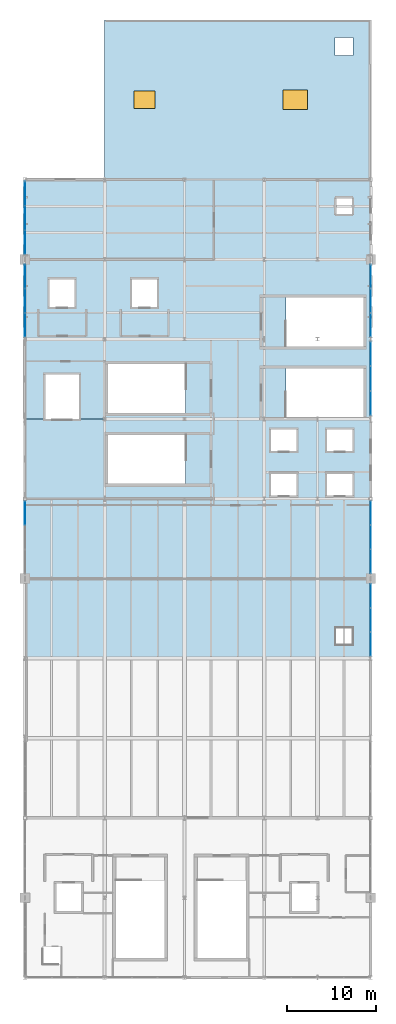
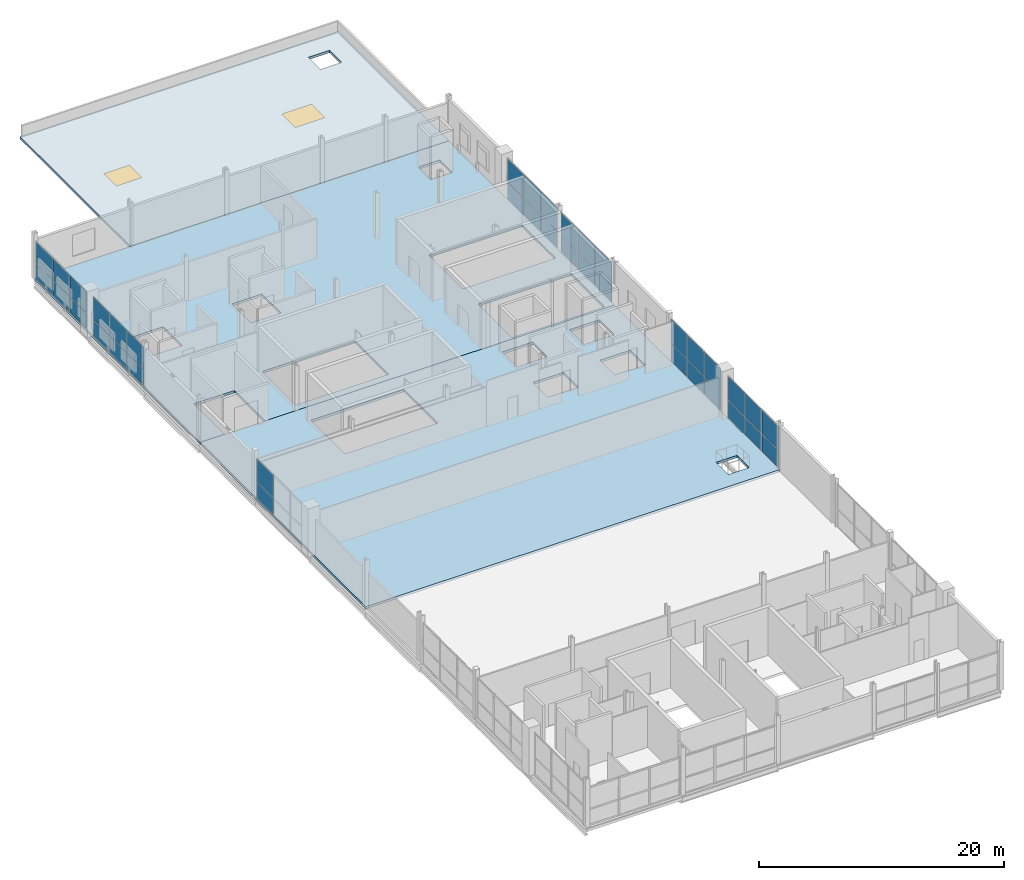
# One storey, part 21 of 29: 38 plates, 3 slabs, 2 windows, 2 openings, 7 elements without a shape of their own.
"""IFC4 building model written with IfcOpenShell, lengths in metres."""

from ifc_helpers import new_model, si_unit, direction, frame, origin, origin_2d, place, context, subcontext, project, spatial, polyline, rectangle, outline, extrude, material, layer, layer_set, type_object, element, fill, aggregate, save


model = new_model("IFC4")

# Units and contexts
model_context = context("Model", 3, precision=1e-05, world=origin(), true_north=direction((0.0, 1.0)))
body_context = subcontext(model_context, "Body", "Model", "MODEL_VIEW")
ifc_project = project(units=[si_unit("LENGTHUNIT", "METRE"), si_unit("AREAUNIT", "SQUARE_METRE"), si_unit("VOLUMEUNIT", "CUBIC_METRE"), si_unit("PLANEANGLEUNIT", "RADIAN"), si_unit("MASSUNIT", "GRAM", prefix="KILO")], contexts=[model_context])

# Site, building, storey
site_placement = place(None, origin())
site = spatial("IfcSite", under=ifc_project, at=site_placement, CompositionType="ELEMENT")
building_placement = place(site_placement, origin())
building = spatial("IfcBuilding", under=site, at=building_placement, Name="Qamarlyn Nura Convention Centre", CompositionType="ELEMENT")
storey_placement = place(building_placement, frame((0.0, 0.0, 25.199951171875)))
storey = spatial("IfcBuildingStorey", under=building, at=storey_placement, Name="L05", CompositionType="ELEMENT", Elevation=25.199951171875)

# Curtain wall, plates
ifc_material_1 = material(Name="Double-silver low-E insulated glass", Category="glass")
ifc_layer_1 = layer(ifc_material_1, 0.179931640625, Name="CW-UNIT-152")
ifc_layer_set_1 = layer_set([ifc_layer_1], Name="Double-silver low-E insulated glass")
curtain_wall_type_1 = type_object("IfcCurtainWallType", Name="CW-UNIT-152", PredefinedType="NOTDEFINED", material=ifc_layer_set_1)
curtain_wall_1_placement = place(storey_placement, origin())
curtain_wall_1 = element("IfcCurtainWall", 1, at=curtain_wall_1_placement, inside=storey, type_object=curtain_wall_type_1, Name="L05 unitised curtain wall EAST-5-1", PredefinedType="NOTDEFINED")
ifc_layer_2 = layer(ifc_material_1, 0.028076171875, Name="CWP-VIS-28")
ifc_layer_set_2 = layer_set([ifc_layer_2], Name="Double-silver low-E insulated glass")
plate_type_1 = type_object("IfcPlateType", Name="CWP-VIS-28", PredefinedType="CURTAIN_PANEL", material=ifc_layer_set_2)
plate_1_placement = place(storey_placement, frame((192.0, 43.060791015625, 0.06494140625), z_axis=(0.0, 0.0, 1.0), x_axis=(0.0, -1.0, 0.0)))
plate_1 = element("IfcPlate", 2, at=plate_1_placement, type_object=plate_type_1, Name="CW152 panel 1.1", PredefinedType="CURTAIN_PANEL", context=body_context, shape_type="SweptSolid", body=[
    extrude(rectangle(XDim=2.6484375, YDim=0.028076171875, at=origin_2d()), origin(), (0.0, 0.0, 1.0), 1.685546875),
])
plate_2_placement = place(storey_placement, frame((192.0, 43.060791015625, 1.8154296875), z_axis=(0.0, 0.0, 1.0), x_axis=(0.0, -1.0, 0.0)))
plate_2 = element("IfcPlate", 3, at=plate_2_placement, type_object=plate_type_1, Name="CW152 panel 1.2", PredefinedType="CURTAIN_PANEL", context=body_context, shape_type="SweptSolid", body=[
    extrude(rectangle(XDim=2.6484375, YDim=0.028076171875, at=origin_2d()), origin(), (0.0, 0.0, 1.0), 2.365478515625),
])
plate_3_placement = place(storey_placement, frame((192.0, 40.331298828125, 0.06494140625), z_axis=(0.0, 0.0, 1.0), x_axis=(0.0, -1.0, 0.0)))
plate_3 = element("IfcPlate", 4, at=plate_3_placement, type_object=plate_type_1, Name="CW152 panel 2.1", PredefinedType="CURTAIN_PANEL", context=body_context, shape_type="SweptSolid", body=[
    extrude(rectangle(XDim=2.680908203125, YDim=0.028076171875, at=origin_2d()), origin(), (0.0, 0.0, 1.0), 1.685546875),
])
plate_4_placement = place(storey_placement, frame((192.0, 40.331298828125, 1.8154296875), z_axis=(0.0, 0.0, 1.0), x_axis=(0.0, -1.0, 0.0)))
plate_4 = element("IfcPlate", 5, at=plate_4_placement, type_object=plate_type_1, Name="CW152 panel 2.2", PredefinedType="CURTAIN_PANEL", context=body_context, shape_type="SweptSolid", body=[
    extrude(rectangle(XDim=2.680908203125, YDim=0.028076171875, at=origin_2d()), origin(), (0.0, 0.0, 1.0), 2.365478515625),
])
plate_5_placement = place(storey_placement, frame((192.0, 37.6015625, 0.06494140625), z_axis=(0.0, 0.0, 1.0), x_axis=(0.0, -1.0, 0.0)))
plate_5 = element("IfcPlate", 6, at=plate_5_placement, type_object=plate_type_1, Name="CW152 panel 3.1", PredefinedType="CURTAIN_PANEL", context=body_context, shape_type="SweptSolid", body=[
    extrude(rectangle(XDim=2.6484375, YDim=0.028076171875, at=origin_2d()), origin(), (0.0, 0.0, 1.0), 1.685546875),
])
plate_6_placement = place(storey_placement, frame((192.0, 37.6015625, 1.8154296875), z_axis=(0.0, 0.0, 1.0), x_axis=(0.0, -1.0, 0.0)))
plate_6 = element("IfcPlate", 7, at=plate_6_placement, type_object=plate_type_1, Name="CW152 panel 3.2", PredefinedType="CURTAIN_PANEL", context=body_context, shape_type="SweptSolid", body=[
    extrude(rectangle(XDim=2.6484375, YDim=0.028076171875, at=origin_2d()), origin(), (0.0, 0.0, 1.0), 2.365478515625),
])
aggregate(curtain_wall_1, [plate_1, plate_2, plate_3, plate_4, plate_5, plate_6])

ifc_layer_3 = layer(ifc_material_1, 0.179931640625, Name="CW-UNIT-154")
ifc_layer_set_3 = layer_set([ifc_layer_3], Name="Double-silver low-E insulated glass")
curtain_wall_type_2 = type_object("IfcCurtainWallType", Name="CW-UNIT-154", PredefinedType="NOTDEFINED", material=ifc_layer_set_3)
curtain_wall_2_placement = place(storey_placement, origin())
curtain_wall_2 = element("IfcCurtainWall", 8, at=curtain_wall_2_placement, inside=storey, type_object=curtain_wall_type_2, Name="L05 unitised curtain wall EAST-6-1", PredefinedType="NOTDEFINED")
plate_7_placement = place(storey_placement, frame((192.0, 52.409912109375, 0.06005859375), z_axis=(0.0, 0.0, 1.0), x_axis=(0.0, -1.0, 0.0)))
plate_7 = element("IfcPlate", 9, at=plate_7_placement, type_object=plate_type_1, Name="CW154 panel 1.1", PredefinedType="CURTAIN_PANEL", context=body_context, shape_type="SweptSolid", body=[
    extrude(rectangle(XDim=2.659912109375, YDim=0.028076171875, at=origin_2d()), origin(), (0.0, 0.0, 1.0), 1.72412109375),
])
plate_8_placement = place(storey_placement, frame((192.0, 52.409912109375, 1.843994140625), z_axis=(0.0, 0.0, 1.0), x_axis=(0.0, -1.0, 0.0)))
plate_8 = element("IfcPlate", 10, at=plate_8_placement, type_object=plate_type_1, Name="CW154 panel 1.2", PredefinedType="CURTAIN_PANEL", context=body_context, shape_type="SweptSolid", body=[
    extrude(rectangle(XDim=2.659912109375, YDim=0.028076171875, at=origin_2d()), origin(), (0.0, 0.0, 1.0), 2.4150390625),
])
plate_9_placement = place(storey_placement, frame((192.0, 49.675048828125, 0.06005859375), z_axis=(0.0, 0.0, 1.0), x_axis=(0.0, -1.0, 0.0)))
plate_9 = element("IfcPlate", 11, at=plate_9_placement, type_object=plate_type_1, Name="CW154 panel 2.1", PredefinedType="CURTAIN_PANEL", context=body_context, shape_type="SweptSolid", body=[
    extrude(rectangle(XDim=2.68994140625, YDim=0.028076171875, at=origin_2d()), origin(), (0.0, 0.0, 1.0), 1.72412109375),
])
plate_10_placement = place(storey_placement, frame((192.0, 49.675048828125, 1.843994140625), z_axis=(0.0, 0.0, 1.0), x_axis=(0.0, -1.0, 0.0)))
plate_10 = element("IfcPlate", 12, at=plate_10_placement, type_object=plate_type_1, Name="CW154 panel 2.2", PredefinedType="CURTAIN_PANEL", context=body_context, shape_type="SweptSolid", body=[
    extrude(rectangle(XDim=2.68994140625, YDim=0.028076171875, at=origin_2d()), origin(), (0.0, 0.0, 1.0), 2.4150390625),
])
plate_11_placement = place(storey_placement, frame((192.0, 46.93994140625, 0.06005859375), z_axis=(0.0, 0.0, 1.0), x_axis=(0.0, -1.0, 0.0)))
plate_11 = element("IfcPlate", 13, at=plate_11_placement, type_object=plate_type_1, Name="CW154 panel 3.1", PredefinedType="CURTAIN_PANEL", context=body_context, shape_type="SweptSolid", body=[
    extrude(rectangle(XDim=2.659912109375, YDim=0.028076171875, at=origin_2d()), origin(), (0.0, 0.0, 1.0), 1.72412109375),
])
plate_12_placement = place(storey_placement, frame((192.0, 46.93994140625, 1.843994140625), z_axis=(0.0, 0.0, 1.0), x_axis=(0.0, -1.0, 0.0)))
plate_12 = element("IfcPlate", 14, at=plate_12_placement, type_object=plate_type_1, Name="CW154 panel 3.2", PredefinedType="CURTAIN_PANEL", context=body_context, shape_type="SweptSolid", body=[
    extrude(rectangle(XDim=2.659912109375, YDim=0.028076171875, at=origin_2d()), origin(), (0.0, 0.0, 1.0), 2.4150390625),
])
aggregate(curtain_wall_2, [plate_7, plate_8, plate_9, plate_10, plate_11, plate_12])

ifc_layer_4 = layer(ifc_material_1, 0.179931640625, Name="CW-UNIT-95")
ifc_layer_set_4 = layer_set([ifc_layer_4], Name="Double-silver low-E insulated glass")
curtain_wall_type_3 = type_object("IfcCurtainWallType", Name="CW-UNIT-95", PredefinedType="NOTDEFINED", material=ifc_layer_set_4)
curtain_wall_3_placement = place(storey_placement, origin())
curtain_wall_3 = element("IfcCurtainWall", 15, at=curtain_wall_3_placement, inside=storey, type_object=curtain_wall_type_3, Name="L05 unitised curtain wall EAST-8-1", PredefinedType="NOTDEFINED")
plate_13_placement = place(storey_placement, frame((192.0, 70.36328125, 0.06982421875), z_axis=(0.0, 0.0, 1.0), x_axis=(0.0, -1.0, 0.0)))
plate_13 = element("IfcPlate", 16, at=plate_13_placement, type_object=plate_type_1, Name="CW95 panel 1.1", PredefinedType="CURTAIN_PANEL", context=body_context, shape_type="SweptSolid", body=[
    extrude(rectangle(XDim=2.708251953125, YDim=0.028076171875, at=origin_2d()), origin(), (0.0, 0.0, 1.0), 1.592041015625),
])
plate_14_placement = place(storey_placement, frame((192.0, 70.36328125, 1.73193359375), z_axis=(0.0, 0.0, 1.0), x_axis=(0.0, -1.0, 0.0)))
plate_14 = element("IfcPlate", 17, at=plate_14_placement, type_object=plate_type_1, Name="CW95 panel 1.2", PredefinedType="CURTAIN_PANEL", context=body_context, shape_type="SweptSolid", body=[
    extrude(rectangle(XDim=2.708251953125, YDim=0.028076171875, at=origin_2d()), origin(), (0.0, 0.0, 1.0), 2.239013671875),
])
plate_15_placement = place(storey_placement, frame((192.0, 67.5673828125, 0.06982421875), z_axis=(0.0, 0.0, 1.0), x_axis=(0.0, -1.0, 0.0)))
plate_15 = element("IfcPlate", 18, at=plate_15_placement, type_object=plate_type_1, Name="CW95 panel 2.1", PredefinedType="CURTAIN_PANEL", context=body_context, shape_type="SweptSolid", body=[
    extrude(rectangle(XDim=2.743408203125, YDim=0.028076171875, at=origin_2d()), origin(), (0.0, 0.0, 1.0), 1.592041015625),
])
plate_16_placement = place(storey_placement, frame((192.0, 67.5673828125, 1.73193359375), z_axis=(0.0, 0.0, 1.0), x_axis=(0.0, -1.0, 0.0)))
plate_16 = element("IfcPlate", 19, at=plate_16_placement, type_object=plate_type_1, Name="CW95 panel 2.2", PredefinedType="CURTAIN_PANEL", context=body_context, shape_type="SweptSolid", body=[
    extrude(rectangle(XDim=2.743408203125, YDim=0.028076171875, at=origin_2d()), origin(), (0.0, 0.0, 1.0), 2.239013671875),
])
plate_17_placement = place(storey_placement, frame((192.0, 64.771728515625, 0.06982421875), z_axis=(0.0, 0.0, 1.0), x_axis=(0.0, -1.0, 0.0)))
plate_17 = element("IfcPlate", 20, at=plate_17_placement, type_object=plate_type_1, Name="CW95 panel 3.1", PredefinedType="CURTAIN_PANEL", context=body_context, shape_type="SweptSolid", body=[
    extrude(rectangle(XDim=2.708251953125, YDim=0.028076171875, at=origin_2d()), origin(), (0.0, 0.0, 1.0), 1.592041015625),
])
plate_18_placement = place(storey_placement, frame((192.0, 64.771728515625, 1.73193359375), z_axis=(0.0, 0.0, 1.0), x_axis=(0.0, -1.0, 0.0)))
plate_18 = element("IfcPlate", 21, at=plate_18_placement, type_object=plate_type_1, Name="CW95 panel 3.2", PredefinedType="CURTAIN_PANEL", context=body_context, shape_type="SweptSolid", body=[
    extrude(rectangle(XDim=2.708251953125, YDim=0.028076171875, at=origin_2d()), origin(), (0.0, 0.0, 1.0), 2.239013671875),
])
aggregate(curtain_wall_3, [plate_13, plate_14, plate_15, plate_16, plate_17, plate_18])

ifc_layer_5 = layer(ifc_material_1, 0.179931640625, Name="CW-UNIT-161")
ifc_layer_set_5 = layer_set([ifc_layer_5], Name="Double-silver low-E insulated glass")
curtain_wall_type_4 = type_object("IfcCurtainWallType", Name="CW-UNIT-161", PredefinedType="NOTDEFINED", material=ifc_layer_set_5)
curtain_wall_4_placement = place(storey_placement, origin())
curtain_wall_4 = element("IfcCurtainWall", 22, at=curtain_wall_4_placement, inside=storey, type_object=curtain_wall_type_4, Name="L05 unitised curtain wall CRT-72-1", PredefinedType="NOTDEFINED")
plate_19_placement = place(storey_placement, frame((153.0, 73.6015625, 0.06494140625), z_axis=(0.0, 0.0, 1.0), x_axis=(0.0, 1.0, 0.0)))
plate_19 = element("IfcPlate", 23, at=plate_19_placement, type_object=plate_type_1, Name="CW161 panel 1.1", PredefinedType="CURTAIN_PANEL", context=body_context, shape_type="SweptSolid", body=[
    extrude(rectangle(XDim=2.6484375, YDim=0.028076171875, at=origin_2d()), origin(), (0.0, 0.0, 1.0), 1.569580078125),
])
plate_20_placement = place(storey_placement, frame((153.0, 73.6015625, 1.699462890625), z_axis=(0.0, 0.0, 1.0), x_axis=(0.0, 1.0, 0.0)))
plate_20 = element("IfcPlate", 24, at=plate_20_placement, type_object=plate_type_1, Name="CW161 panel 1.2", PredefinedType="CURTAIN_PANEL", context=body_context, shape_type="SweptSolid", body=[
    extrude(rectangle(XDim=2.6484375, YDim=0.028076171875, at=origin_2d()), origin(), (0.0, 0.0, 1.0), 2.20458984375),
])
plate_21_placement = place(storey_placement, frame((153.0, 76.331298828125, 0.06494140625), z_axis=(0.0, 0.0, 1.0), x_axis=(0.0, 1.0, 0.0)))
plate_21 = element("IfcPlate", 25, at=plate_21_placement, type_object=plate_type_1, Name="CW161 panel 2.1", PredefinedType="CURTAIN_PANEL", context=body_context, shape_type="SweptSolid", body=[
    extrude(rectangle(XDim=2.680908203125, YDim=0.028076171875, at=origin_2d()), origin(), (0.0, 0.0, 1.0), 1.569580078125),
])
plate_22_placement = place(storey_placement, frame((153.0, 76.331298828125, 1.699462890625), z_axis=(0.0, 0.0, 1.0), x_axis=(0.0, 1.0, 0.0)))
plate_22 = element("IfcPlate", 26, at=plate_22_placement, type_object=plate_type_1, Name="CW161 panel 2.2", PredefinedType="CURTAIN_PANEL", context=body_context, shape_type="SweptSolid", body=[
    extrude(rectangle(XDim=2.680908203125, YDim=0.028076171875, at=origin_2d()), origin(), (0.0, 0.0, 1.0), 2.20458984375),
])
plate_23_placement = place(storey_placement, frame((153.0, 79.060791015625, 0.06494140625), z_axis=(0.0, 0.0, 1.0), x_axis=(0.0, 1.0, 0.0)))
plate_23 = element("IfcPlate", 27, at=plate_23_placement, type_object=plate_type_1, Name="CW161 panel 3.1", PredefinedType="CURTAIN_PANEL", context=body_context, shape_type="SweptSolid", body=[
    extrude(rectangle(XDim=2.6484375, YDim=0.028076171875, at=origin_2d()), origin(), (0.0, 0.0, 1.0), 1.569580078125),
])
plate_24_placement = place(storey_placement, frame((153.0, 79.060791015625, 1.699462890625), z_axis=(0.0, 0.0, 1.0), x_axis=(0.0, 1.0, 0.0)))
plate_24 = element("IfcPlate", 28, at=plate_24_placement, type_object=plate_type_1, Name="CW161 panel 3.2", PredefinedType="CURTAIN_PANEL", context=body_context, shape_type="SweptSolid", body=[
    extrude(rectangle(XDim=2.6484375, YDim=0.028076171875, at=origin_2d()), origin(), (0.0, 0.0, 1.0), 2.20458984375),
])
aggregate(curtain_wall_4, [plate_19, plate_20, plate_21, plate_22, plate_23, plate_24])

ifc_layer_6 = layer(ifc_material_1, 0.179931640625, Name="CW-UNIT-162")
ifc_layer_set_6 = layer_set([ifc_layer_6], Name="Double-silver low-E insulated glass")
curtain_wall_type_5 = type_object("IfcCurtainWallType", Name="CW-UNIT-162", PredefinedType="NOTDEFINED", material=ifc_layer_set_6)
curtain_wall_5_placement = place(storey_placement, origin())
curtain_wall_5 = element("IfcCurtainWall", 29, at=curtain_wall_5_placement, inside=storey, type_object=curtain_wall_type_5, Name="L05 unitised curtain wall CRT-81-1", PredefinedType="NOTDEFINED")
plate_25_placement = place(storey_placement, frame((153.0, 82.93994140625, 0.06005859375), z_axis=(0.0, 0.0, 1.0), x_axis=(0.0, 1.0, 0.0)))
plate_25 = element("IfcPlate", 30, at=plate_25_placement, type_object=plate_type_1, Name="CW162 panel 1.1", PredefinedType="CURTAIN_PANEL", context=body_context, shape_type="SweptSolid", body=[
    extrude(rectangle(XDim=2.659912109375, YDim=0.028076171875, at=origin_2d()), origin(), (0.0, 0.0, 1.0), 1.509033203125),
])
plate_26_placement = place(storey_placement, frame((153.0, 82.93994140625, 1.62890625), z_axis=(0.0, 0.0, 1.0), x_axis=(0.0, 1.0, 0.0)))
plate_26 = element("IfcPlate", 31, at=plate_26_placement, type_object=plate_type_1, Name="CW162 panel 1.2", PredefinedType="CURTAIN_PANEL", context=body_context, shape_type="SweptSolid", body=[
    extrude(rectangle(XDim=2.659912109375, YDim=0.028076171875, at=origin_2d()), origin(), (0.0, 0.0, 1.0), 2.117919921875),
])
plate_27_placement = place(storey_placement, frame((153.0, 85.675048828125, 0.06005859375), z_axis=(0.0, 0.0, 1.0), x_axis=(0.0, 1.0, 0.0)))
plate_27 = element("IfcPlate", 32, at=plate_27_placement, type_object=plate_type_1, Name="CW162 panel 2.1", PredefinedType="CURTAIN_PANEL", context=body_context, shape_type="SweptSolid", body=[
    extrude(rectangle(XDim=2.68994140625, YDim=0.028076171875, at=origin_2d()), origin(), (0.0, 0.0, 1.0), 1.509033203125),
])
plate_28_placement = place(storey_placement, frame((153.0, 85.675048828125, 1.62890625), z_axis=(0.0, 0.0, 1.0), x_axis=(0.0, 1.0, 0.0)))
plate_28 = element("IfcPlate", 33, at=plate_28_placement, type_object=plate_type_1, Name="CW162 panel 2.2", PredefinedType="CURTAIN_PANEL", context=body_context, shape_type="SweptSolid", body=[
    extrude(rectangle(XDim=2.68994140625, YDim=0.028076171875, at=origin_2d()), origin(), (0.0, 0.0, 1.0), 2.117919921875),
])
plate_29_placement = place(storey_placement, frame((153.0, 88.409912109375, 0.06005859375), z_axis=(0.0, 0.0, 1.0), x_axis=(0.0, 1.0, 0.0)))
plate_29 = element("IfcPlate", 34, at=plate_29_placement, type_object=plate_type_1, Name="CW162 panel 3.1", PredefinedType="CURTAIN_PANEL", context=body_context, shape_type="SweptSolid", body=[
    extrude(rectangle(XDim=2.659912109375, YDim=0.028076171875, at=origin_2d()), origin(), (0.0, 0.0, 1.0), 1.509033203125),
])
plate_30_placement = place(storey_placement, frame((153.0, 88.409912109375, 1.62890625), z_axis=(0.0, 0.0, 1.0), x_axis=(0.0, 1.0, 0.0)))
plate_30 = element("IfcPlate", 35, at=plate_30_placement, type_object=plate_type_1, Name="CW162 panel 3.2", PredefinedType="CURTAIN_PANEL", context=body_context, shape_type="SweptSolid", body=[
    extrude(rectangle(XDim=2.659912109375, YDim=0.028076171875, at=origin_2d()), origin(), (0.0, 0.0, 1.0), 2.117919921875),
])
aggregate(curtain_wall_5, [plate_25, plate_26, plate_27, plate_28, plate_29, plate_30])

ifc_layer_7 = layer(ifc_material_1, 0.179931640625, Name="CW-UNIT-94")
ifc_layer_set_7 = layer_set([ifc_layer_7], Name="Double-silver low-E insulated glass")
curtain_wall_type_6 = type_object("IfcCurtainWallType", Name="CW-UNIT-94", PredefinedType="NOTDEFINED", material=ifc_layer_set_7)
curtain_wall_6_placement = place(storey_placement, origin())
curtain_wall_6 = element("IfcCurtainWall", 36, at=curtain_wall_6_placement, inside=storey, type_object=curtain_wall_type_6, Name="L05 unitised curtain wall EAST-9-1", PredefinedType="NOTDEFINED")
ifc_layer_8 = layer(ifc_material_1, 0.031982421875, Name="CWP-VIS-32")
ifc_layer_set_8 = layer_set([ifc_layer_8], Name="Double-silver low-E insulated glass")
plate_type_2 = type_object("IfcPlateType", Name="CWP-VIS-32", PredefinedType="CURTAIN_PANEL", material=ifc_layer_set_8)
plate_31_placement = place(storey_placement, frame((192.0, 79.060791015625, 0.06494140625), z_axis=(0.0, 0.0, 1.0), x_axis=(0.0, -1.0, 0.0)))
plate_31 = element("IfcPlate", 37, at=plate_31_placement, type_object=plate_type_2, Name="CW94 panel 1.1", PredefinedType="CURTAIN_PANEL", context=body_context, shape_type="SweptSolid", body=[
    extrude(rectangle(XDim=2.6484375, YDim=0.031982421875, at=origin_2d()), origin(), (0.0, 0.0, 1.0), 1.630615234375),
])
plate_32_placement = place(storey_placement, frame((192.0, 79.060791015625, 1.760498046875), z_axis=(0.0, 0.0, 1.0), x_axis=(0.0, -1.0, 0.0)))
plate_32 = element("IfcPlate", 38, at=plate_32_placement, type_object=plate_type_2, Name="CW94 panel 1.2", PredefinedType="CURTAIN_PANEL", context=body_context, shape_type="SweptSolid", body=[
    extrude(rectangle(XDim=2.6484375, YDim=0.031982421875, at=origin_2d()), origin(), (0.0, 0.0, 1.0), 2.28857421875),
])
plate_33_placement = place(storey_placement, frame((192.0, 76.331298828125, 0.06494140625), z_axis=(0.0, 0.0, 1.0), x_axis=(0.0, -1.0, 0.0)))
plate_33 = element("IfcPlate", 39, at=plate_33_placement, type_object=plate_type_2, Name="CW94 panel 2.1", PredefinedType="CURTAIN_PANEL", context=body_context, shape_type="SweptSolid", body=[
    extrude(rectangle(XDim=2.680908203125, YDim=0.031982421875, at=origin_2d()), origin(), (0.0, 0.0, 1.0), 1.630615234375),
])
plate_34_placement = place(storey_placement, frame((192.0, 76.331298828125, 1.760498046875), z_axis=(0.0, 0.0, 1.0), x_axis=(0.0, -1.0, 0.0)))
plate_34 = element("IfcPlate", 40, at=plate_34_placement, type_object=plate_type_2, Name="CW94 panel 2.2", PredefinedType="CURTAIN_PANEL", context=body_context, shape_type="SweptSolid", body=[
    extrude(rectangle(XDim=2.680908203125, YDim=0.031982421875, at=origin_2d()), origin(), (0.0, 0.0, 1.0), 2.28857421875),
])
plate_35_placement = place(storey_placement, frame((192.0, 73.6015625, 0.06494140625), z_axis=(0.0, 0.0, 1.0), x_axis=(0.0, -1.0, 0.0)))
plate_35 = element("IfcPlate", 41, at=plate_35_placement, type_object=plate_type_2, Name="CW94 panel 3.1", PredefinedType="CURTAIN_PANEL", context=body_context, shape_type="SweptSolid", body=[
    extrude(rectangle(XDim=2.6484375, YDim=0.031982421875, at=origin_2d()), origin(), (0.0, 0.0, 1.0), 1.630615234375),
])
plate_36_placement = place(storey_placement, frame((192.0, 73.6015625, 1.760498046875), z_axis=(0.0, 0.0, 1.0), x_axis=(0.0, -1.0, 0.0)))
plate_36 = element("IfcPlate", 42, at=plate_36_placement, type_object=plate_type_2, Name="CW94 panel 3.2", PredefinedType="CURTAIN_PANEL", context=body_context, shape_type="SweptSolid", body=[
    extrude(rectangle(XDim=2.6484375, YDim=0.031982421875, at=origin_2d()), origin(), (0.0, 0.0, 1.0), 2.28857421875),
])
aggregate(curtain_wall_6, [plate_31, plate_32, plate_33, plate_34, plate_35, plate_36])

ifc_layer_9 = layer(ifc_material_1, 0.179931640625, Name="CW-UNIT-160")
ifc_layer_set_9 = layer_set([ifc_layer_9], Name="Double-silver low-E insulated glass")
curtain_wall_type_7 = type_object("IfcCurtainWallType", Name="CW-UNIT-160", PredefinedType="NOTDEFINED", material=ifc_layer_set_9)
curtain_wall_7_placement = place(storey_placement, origin())
curtain_wall_7 = element("IfcCurtainWall", 43, at=curtain_wall_7_placement, inside=storey, type_object=curtain_wall_type_7, Name="L05 unitised curtain wall CRT-45-1", PredefinedType="NOTDEFINED")
plate_37_placement = place(storey_placement, frame((153.0, 52.407470703125, 0.070068359375), z_axis=(0.0, 0.0, 1.0), x_axis=(0.0, 1.0, 0.0)))
plate_37 = element("IfcPlate", 44, at=plate_37_placement, type_object=plate_type_2, Name="CW160 panel 3.1", PredefinedType="CURTAIN_PANEL", context=body_context, shape_type="SweptSolid", body=[
    extrude(rectangle(XDim=2.64501953125, YDim=0.031982421875, at=origin_2d()), origin(), (0.0, 0.0, 1.0), 1.580078125),
])
plate_38_placement = place(storey_placement, frame((153.0, 52.407470703125, 1.72021484375), z_axis=(0.0, 0.0, 1.0), x_axis=(0.0, 1.0, 0.0)))
plate_38 = element("IfcPlate", 45, at=plate_38_placement, type_object=plate_type_2, Name="CW160 panel 3.2", PredefinedType="CURTAIN_PANEL", context=body_context, shape_type="SweptSolid", body=[
    extrude(rectangle(XDim=2.64501953125, YDim=0.031982421875, at=origin_2d()), origin(), (0.0, 0.0, 1.0), 2.221923828125),
])
aggregate(curtain_wall_7, [plate_37, plate_38])

# Slab, openings, windows
ifc_material_2 = material(Name="Concrete C40/50", Category="concrete")
ifc_layer_10 = layer(ifc_material_2, 0.239990234375, Name="RF-L05")
ifc_layer_set_10 = layer_set([ifc_layer_10], Name="Concrete C40/50")
slab_type_1 = type_object("IfcSlabType", Name="RF-L05", PredefinedType="ROOF", material=ifc_layer_set_10)
slab_1_placement = place(storey_placement, frame((0.0, 0.0, -0.239990234375)))
slab_1 = element("IfcSlab", 46, at=slab_1_placement, inside=storey, type_object=slab_type_1, Name="L05 flat roof deck R-L05-DL1", PredefinedType="ROOF", context=body_context, shape_type="SweptSolid", body=[
    extrude(outline(polyline([(162.0, 90.0), (162.0, 108.0), (192.0, 108.0), (192.0, 90.0), (162.0, 90.0)]), holes=[polyline([(190.0, 106.0), (188.0, 106.0), (188.0, 104.0), (190.0, 104.0), (190.0, 106.0)])]), origin(), (0.0, 0.0, 1.0), 0.239990234375),
])
opening_1_placement = place(slab_1_placement, frame((166.5, 99.0, 0.0)))
opening_1 = element("IfcOpeningElement", 47, at=opening_1_placement, cuts=slab_1, Name="Opening SK05", PredefinedType="OPENING", context=body_context, shape_type="SweptSolid", body=[
    extrude(rectangle(XDim=2.39990234375, YDim=2.0, at=origin_2d()), frame((0.0, 0.0, -0.010009765625)), (0.0, 0.0, 1.0), 0.260009765625),
])
opening_2_placement = place(slab_1_placement, frame((183.5, 99.0, 0.0)))
opening_2 = element("IfcOpeningElement", 48, at=opening_2_placement, cuts=slab_1, Name="Opening SK06", PredefinedType="OPENING", context=body_context, shape_type="SweptSolid", body=[
    extrude(rectangle(XDim=2.800048828125, YDim=2.199951171875, at=origin_2d()), frame((0.0, 0.0, -0.010009765625)), (0.0, 0.0, 1.0), 0.260009765625),
])
ifc_material_3 = material(Name="Laminated solar-control skylight glass", Category="glass")
window_type_1 = type_object("IfcWindowType", Name="SKY-MOD-05", PartitioningType="SINGLE_PANEL", PredefinedType="SKYLIGHT", material=ifc_material_3)
window_1_placement = place(opening_1_placement, frame((0.0, 0.0, 0.18994140625)))
window_1 = element("IfcWindow", 49, at=window_1_placement, inside=storey, type_object=window_type_1, Name="L05 modular roof skylight 23", OverallHeight=2.0, OverallWidth=2.39990234375, PartitioningType="SINGLE_PANEL", PredefinedType="SKYLIGHT", context=body_context, shape_type="SweptSolid", body=[
    extrude(rectangle(XDim=2.39990234375, YDim=2.0, at=origin_2d()), origin(), (0.0, 0.0, 1.0), 0.050048828125),
])
fill(opening_1, window_1)
window_type_2 = type_object("IfcWindowType", Name="SKY-MOD-06", PartitioningType="SINGLE_PANEL", PredefinedType="SKYLIGHT", material=ifc_material_3)
window_2_placement = place(opening_2_placement, frame((0.0, 0.0, 0.18994140625)))
window_2 = element("IfcWindow", 50, at=window_2_placement, inside=storey, type_object=window_type_2, Name="L05 modular roof skylight 24", OverallHeight=2.199951171875, OverallWidth=2.800048828125, PartitioningType="SINGLE_PANEL", PredefinedType="SKYLIGHT", context=body_context, shape_type="SweptSolid", body=[
    extrude(rectangle(XDim=2.800048828125, YDim=2.199951171875, at=origin_2d()), origin(), (0.0, 0.0, 1.0), 0.050048828125),
])
fill(opening_2, window_2)

# Slabs
ifc_layer_11 = layer(ifc_material_2, 0.239990234375, Name="SL-L05")
ifc_layer_set_11 = layer_set([ifc_layer_11], Name="Concrete C40/50")
slab_type_2 = type_object("IfcSlabType", Name="SL-L05", PredefinedType="FLOOR", material=ifc_layer_set_11)
slab_2_placement = place(storey_placement, frame((0.0, 0.0, -0.239990234375)))
element("IfcSlab", 51, at=slab_2_placement, inside=storey, type_object=slab_type_2, Name="L05 floor slab L05-FR2", PredefinedType="FLOOR", context=body_context, shape_type="SweptSolid", body=[
    extrude(outline(polyline([(153.0, 63.0), (155.300048828125, 63.0), (159.10009765625, 63.0), (192.0, 63.0), (192.0, 36.0), (153.0, 36.0), (153.0, 63.0)]), holes=[polyline([(188.0, 39.5), (188.0, 37.5), (190.0, 37.5), (190.0, 39.5), (188.0, 39.5)]), polyline([(162.39990234375, 61.199951171875), (162.39990234375, 55.699951171875), (171.139892578125, 55.699951171875), (171.139892578125, 61.199951171875), (162.39990234375, 61.199951171875)]), polyline([(183.625, 56.800048828125), (180.77490234375, 56.800048828125), (180.77490234375, 54.39990234375), (183.625, 54.39990234375), (183.625, 56.800048828125)]), polyline([(189.925048828125, 56.800048828125), (187.074951171875, 56.800048828125), (187.074951171875, 54.39990234375), (189.925048828125, 54.39990234375), (189.925048828125, 56.800048828125)]), polyline([(183.625, 61.800048828125), (180.77490234375, 61.800048828125), (180.77490234375, 59.39990234375), (183.625, 59.39990234375), (183.625, 61.800048828125)]), polyline([(189.925048828125, 61.800048828125), (187.074951171875, 61.800048828125), (187.074951171875, 59.39990234375), (189.925048828125, 59.39990234375), (189.925048828125, 61.800048828125)])]), origin(), (0.0, 0.0, 1.0), 0.239990234375),
])
ifc_layer_12 = layer(ifc_material_2, 0.239990234375, Name="SL-L05-PL")
ifc_layer_set_12 = layer_set([ifc_layer_12], Name="Concrete C40/50")
slab_type_3 = type_object("IfcSlabType", Name="SL-L05-PL", PredefinedType="FLOOR", material=ifc_layer_set_12)
slab_3_placement = place(storey_placement, frame((0.0, 0.0, -0.239990234375)))
element("IfcSlab", 52, at=slab_3_placement, inside=storey, type_object=slab_type_3, Name="L05 floor slab L05-AD1", PredefinedType="FLOOR", context=body_context, shape_type="SweptSolid", body=[
    extrude(outline(polyline([(153.0, 90.0), (192.0, 90.0), (192.0, 63.0), (159.10009765625, 63.0), (159.10009765625, 68.0), (155.300048828125, 68.0), (155.300048828125, 63.0), (153.0, 63.0), (153.0, 90.0)]), holes=[polyline([(188.0, 88.0), (188.0, 86.0), (190.0, 86.0), (190.0, 88.0), (188.0, 88.0)]), polyline([(162.39990234375, 69.199951171875), (162.39990234375, 63.699951171875), (171.139892578125, 63.699951171875), (171.139892578125, 69.199951171875), (162.39990234375, 69.199951171875)]), polyline([(158.60009765625, 78.75), (155.800048828125, 78.75), (155.800048828125, 75.64990234375), (158.60009765625, 75.64990234375), (158.60009765625, 78.75)]), polyline([(167.89990234375, 78.75), (165.10009765625, 78.75), (165.10009765625, 75.64990234375), (167.89990234375, 75.64990234375), (167.89990234375, 78.75)]), polyline([(191.199951171875, 63.199951171875), (191.199951171875, 68.699951171875), (182.4599609375, 68.699951171875), (182.4599609375, 63.199951171875), (191.199951171875, 63.199951171875)]), polyline([(191.199951171875, 71.199951171875), (191.199951171875, 76.699951171875), (182.4599609375, 76.699951171875), (182.4599609375, 71.199951171875), (191.199951171875, 71.199951171875)])]), origin(), (0.0, 0.0, 1.0), 0.239990234375),
])

save(model, "model.ifc")
